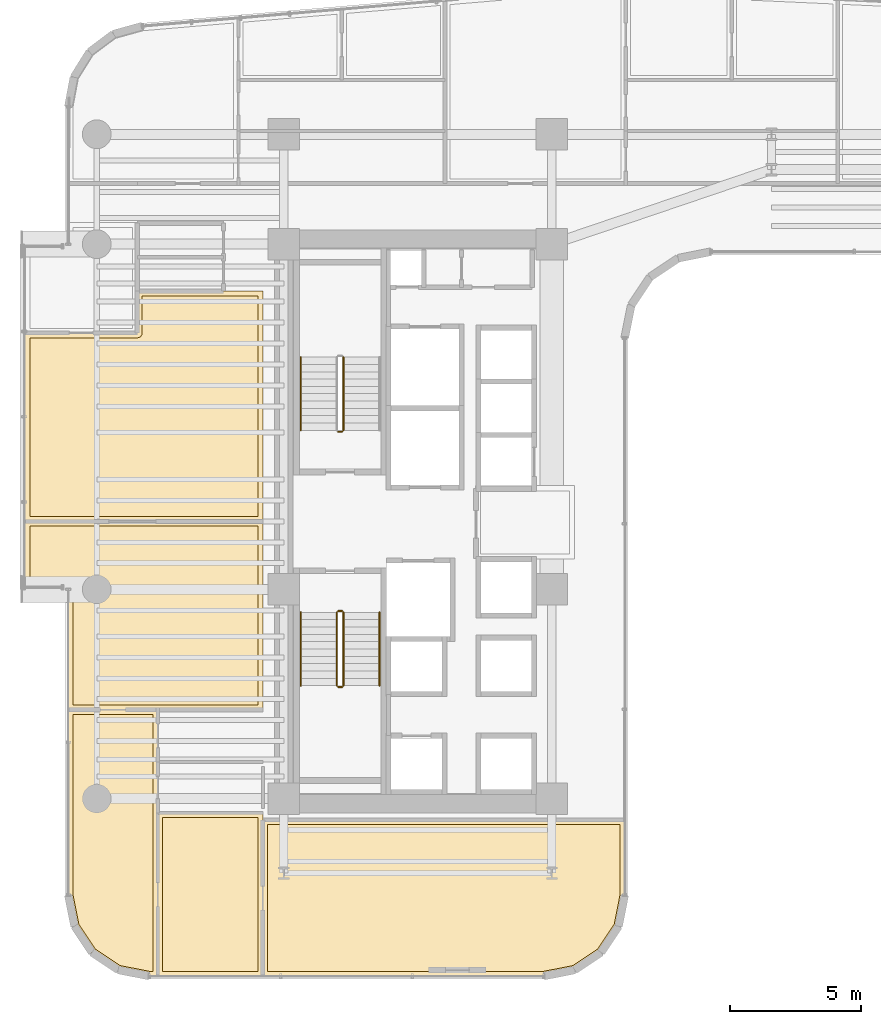
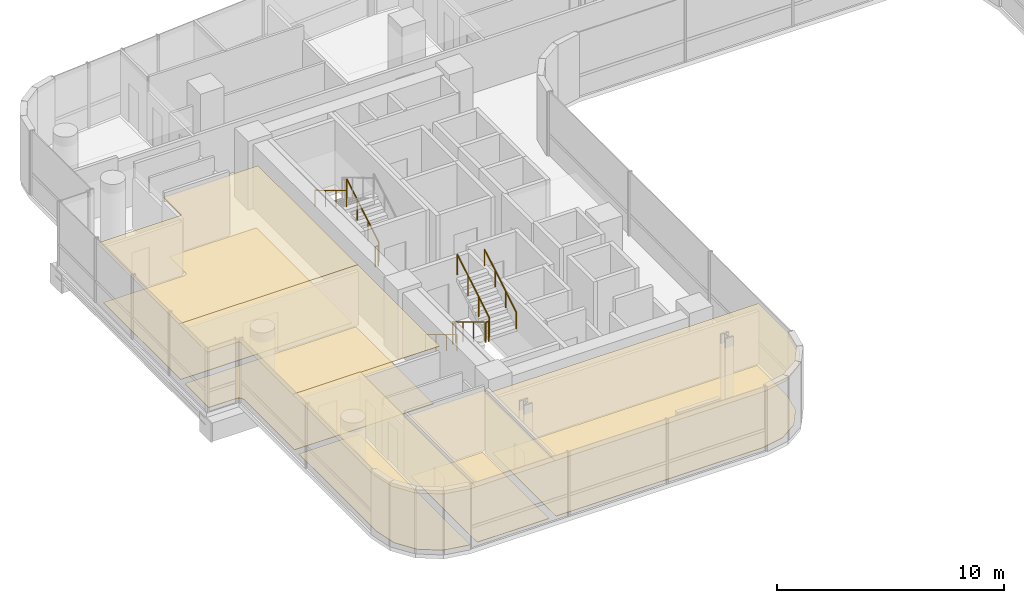
# One storey, part 31 of 35: 10 coverings, 9 railings.
"""IFC4 building model written with IfcOpenShell, lengths in metres."""

from ifc_helpers import new_model, si_unit, direction, frame, origin, origin_2d, place, context, subcontext, project, spatial, polyline, circle, outline, extrude, material, layer, layer_set, type_object, element, save


model = new_model("IFC4")

# Units and contexts
model_context = context("Model", 3, precision=1e-05, world=origin(), true_north=direction((0.0, 1.0)))
body_context = subcontext(model_context, "Body", "Model", "MODEL_VIEW")
ifc_project = project(units=[si_unit("LENGTHUNIT", "METRE"), si_unit("AREAUNIT", "SQUARE_METRE"), si_unit("VOLUMEUNIT", "CUBIC_METRE"), si_unit("PLANEANGLEUNIT", "RADIAN"), si_unit("MASSUNIT", "GRAM", prefix="KILO")], contexts=[model_context])

# Site, building, storey
site_placement = place(None, origin())
site = spatial("IfcSite", under=ifc_project, at=site_placement, CompositionType="ELEMENT")
building_placement = place(site_placement, origin())
building = spatial("IfcBuilding", under=site, at=building_placement, Name="Valdorenza Pilgrim Sanctuary Tower", CompositionType="ELEMENT")
storey_placement = place(building_placement, frame((0.0, 0.0, 105.699951171875)))
storey = spatial("IfcBuildingStorey", under=building, at=storey_placement, Name="L26", CompositionType="ELEMENT", Elevation=105.699951171875)

# Coverings
ifc_material_1 = material(Name="Micro-perforated acoustic mineral ceiling tile", Category="gypsum")
ifc_layer_1 = layer(ifc_material_1, 0.02490234375, Name="Micro-perforated acoustic mineral ceiling tile")
ifc_layer_set_1 = layer_set([ifc_layer_1], Name="Micro-perforated acoustic mineral ceiling tile")
covering_type_1 = type_object("IfcCoveringType", Name="COV-CLG-ACU", PredefinedType="CEILING", material=ifc_layer_set_1)
covering_1_placement = place(storey_placement, frame((0.0, 0.0, 3.16015625)))
element("IfcCovering", 1, at=covering_1_placement, inside=storey, type_object=covering_type_1, Name="L26 Sanctuary Apartment L26-CS1 Bedroom Acoustic Ceiling", PredefinedType="CEILING", context=body_context, shape_type="SweptSolid", body=[
    extrude(outline(polyline([(-27.482666015625, -11.14990234375), (-27.482421875, -11.1484375), (-27.482421875, -11.147216796875), (-27.48193359375, -11.1455078125), (-27.4814453125, -11.144287109375), (-27.480712890625, -11.142822265625), (-27.47998046875, -11.1416015625), (-27.479248046875, -11.140380859375), (-27.478271484375, -11.139404296875), (-27.47705078125, -11.138427734375), (-27.475830078125, -11.137451171875), (-27.474609375, -11.13671875), (-27.473388671875, -11.135986328125), (-27.471923828125, -11.135498046875), (-27.470458984375, -11.13525390625), (-27.468994140625, -11.135009765625), (-27.467529296875, -11.135009765625), (-23.449951171875, -11.135009765625), (-23.448486328125, -11.135009765625), (-23.447021484375, -11.13525390625), (-23.445556640625, -11.135498046875), (-23.4443359375, -11.135986328125), (-23.44287109375, -11.13671875), (-23.441650390625, -11.137451171875), (-23.4404296875, -11.138427734375), (-23.439453125, -11.139404296875), (-23.4384765625, -11.140380859375), (-23.4375, -11.1416015625), (-23.436767578125, -11.142822265625), (-23.43603515625, -11.144287109375), (-23.435546875, -11.1455078125), (-23.435302734375, -11.147216796875), (-23.43505859375, -11.1484375), (-23.43505859375, -11.14990234375), (-23.43505859375, -17.389892578125), (-23.43505859375, -17.3916015625), (-23.435302734375, -17.392822265625), (-23.435546875, -17.394287109375), (-23.43603515625, -17.395751953125), (-23.436767578125, -17.397216796875), (-23.4375, -17.398193359375), (-23.4384765625, -17.3994140625), (-23.439453125, -17.400634765625), (-23.4404296875, -17.401611328125), (-23.441650390625, -17.402587890625), (-23.44287109375, -17.4033203125), (-23.4443359375, -17.40380859375), (-23.445556640625, -17.404296875), (-23.447021484375, -17.40478515625), (-23.448486328125, -17.40478515625), (-23.449951171875, -17.405029296875), (-27.467529296875, -17.405029296875), (-27.468994140625, -17.40478515625), (-27.470458984375, -17.40478515625), (-27.471923828125, -17.404296875), (-27.473388671875, -17.40380859375), (-27.474609375, -17.4033203125), (-27.475830078125, -17.402587890625), (-27.47705078125, -17.401611328125), (-27.478271484375, -17.400634765625), (-27.479248046875, -17.3994140625), (-27.47998046875, -17.398193359375), (-27.480712890625, -17.397216796875), (-27.4814453125, -17.395751953125), (-27.48193359375, -17.394287109375), (-27.482421875, -17.392822265625), (-27.482421875, -17.3916015625), (-27.482666015625, -17.389892578125), (-27.482666015625, -11.14990234375)])), origin(), (0.0, 0.0, 1.0), 0.02490234375),
])
covering_2_placement = place(storey_placement, frame((0.0, 0.0, 3.16015625)))
element("IfcCovering", 2, at=covering_2_placement, inside=storey, type_object=covering_type_1, Name="L26 Sanctuary Apartment L26-CS1 Living Room Acoustic Ceiling", PredefinedType="CEILING", context=body_context, shape_type="SweptSolid", body=[
    extrude(outline(polyline([(-28.984619140625, -17.16748046875), (-28.986083984375, -17.1669921875), (-28.9873046875, -17.16650390625), (-28.98876953125, -17.166015625), (-28.989990234375, -17.165283203125), (-29.99169921875, -16.495849609375), (-29.992919921875, -16.4951171875), (-29.993896484375, -16.493896484375), (-29.9951171875, -16.492919921875), (-29.995849609375, -16.49169921875), (-30.665283203125, -15.489990234375), (-30.666015625, -15.48876953125), (-30.66650390625, -15.4873046875), (-30.6669921875, -15.486083984375), (-30.66748046875, -15.484619140625), (-30.90478515625, -14.2919921875), (-30.90478515625, -14.29052734375), (-30.905029296875, -14.289306640625), (-30.905029296875, -7.199951171875), (-30.90478515625, -7.198486328125), (-30.90478515625, -7.197021484375), (-30.904296875, -7.195556640625), (-30.90380859375, -7.1943359375), (-30.9033203125, -7.19287109375), (-30.902587890625, -7.191650390625), (-30.901611328125, -7.1904296875), (-30.900634765625, -7.189453125), (-30.8994140625, -7.1884765625), (-30.898193359375, -7.1875), (-30.897216796875, -7.186767578125), (-30.895751953125, -7.18603515625), (-30.894287109375, -7.185546875), (-30.892822265625, -7.185302734375), (-30.8916015625, -7.18505859375), (-30.889892578125, -7.18505859375), (-27.467529296875, -7.18505859375), (-27.466064453125, -7.18505859375), (-27.464599609375, -7.185302734375), (-27.463134765625, -7.185546875), (-27.4619140625, -7.18603515625), (-27.46044921875, -7.186767578125), (-27.459228515625, -7.1875), (-27.4580078125, -7.1884765625), (-27.45703125, -7.189453125), (-27.4560546875, -7.1904296875), (-27.455078125, -7.191650390625), (-27.454345703125, -7.19287109375), (-27.45361328125, -7.1943359375), (-27.453125, -7.195556640625), (-27.452880859375, -7.197021484375), (-27.45263671875, -7.198486328125), (-27.45263671875, -7.199951171875), (-27.45263671875, -11.14794921875), (-27.45263671875, -11.1494140625), (-27.452880859375, -11.15087890625), (-27.453369140625, -11.152587890625), (-27.453857421875, -11.15380859375), (-27.45458984375, -11.1552734375), (-27.45458984375, -11.155517578125), (-27.45458984375, -17.389892578125), (-27.45458984375, -17.3916015625), (-27.454833984375, -17.392822265625), (-27.455078125, -17.394287109375), (-27.455810546875, -17.395751953125), (-27.456298828125, -17.397216796875), (-27.45703125, -17.398193359375), (-27.4580078125, -17.3994140625), (-27.458984375, -17.400634765625), (-27.460205078125, -17.401611328125), (-27.461181640625, -17.402587890625), (-27.46240234375, -17.4033203125), (-27.4638671875, -17.40380859375), (-27.465087890625, -17.404296875), (-27.466796875, -17.40478515625), (-27.468017578125, -17.40478515625), (-27.469482421875, -17.405029296875), (-27.789306640625, -17.405029296875), (-27.79052734375, -17.40478515625), (-27.7919921875, -17.40478515625), (-28.984619140625, -17.16748046875)])), origin(), (0.0, 0.0, 1.0), 0.02490234375),
])
covering_3_placement = place(storey_placement, frame((0.0, 0.0, 3.16015625)))
element("IfcCovering", 3, at=covering_3_placement, inside=storey, type_object=covering_type_1, Name="L26 South Contemplation Salon L26 Acoustic Ceiling", PredefinedType="CEILING", context=body_context, shape_type="SweptSolid", body=[
    extrude(outline(polyline([(-27.469482421875, -7.212890625), (-30.889892578125, -7.212890625), (-30.8916015625, -7.212890625), (-30.892822265625, -7.212646484375), (-30.894287109375, -7.21240234375), (-30.895751953125, -7.2119140625), (-30.897216796875, -7.211181640625), (-30.898193359375, -7.21044921875), (-30.8994140625, -7.209716796875), (-30.900634765625, -7.20849609375), (-30.901611328125, -7.20751953125), (-30.902587890625, -7.206298828125), (-30.9033203125, -7.205078125), (-30.90380859375, -7.20361328125), (-30.904296875, -7.202392578125), (-30.90478515625, -7.200927734375), (-30.90478515625, -7.199462890625), (-30.905029296875, -7.197998046875), (-30.905029296875, -2.600341796875), (-30.905517578125, -2.5908203125), (-30.90673828125, -2.58154296875), (-30.9091796875, -2.572509765625), (-30.912109375, -2.563720703125), (-30.916259765625, -2.55517578125), (-30.9208984375, -2.547119140625), (-30.926513671875, -2.539794921875), (-30.932861328125, -2.53271484375), (-30.939697265625, -2.526611328125), (-30.947265625, -2.52099609375), (-30.955078125, -2.51611328125), (-30.963623046875, -2.51220703125), (-30.972412109375, -2.509033203125), (-30.9814453125, -2.5068359375), (-30.99072265625, -2.505615234375), (-31.00048828125, -2.5048828125), (-32.5400390625, -2.5048828125), (-32.54150390625, -2.5048828125), (-32.54296875, -2.504638671875), (-32.54443359375, -2.50439453125), (-32.545654296875, -2.50390625), (-32.547119140625, -2.503173828125), (-32.54833984375, -2.50244140625), (-32.549560546875, -2.501708984375), (-32.550537109375, -2.50048828125), (-32.551513671875, -2.49951171875), (-32.552490234375, -2.498291015625), (-32.55322265625, -2.4970703125), (-32.553955078125, -2.49560546875), (-32.554443359375, -2.494384765625), (-32.5546875, -2.492919921875), (-32.554931640625, -2.491455078125), (-32.554931640625, -2.489990234375), (-32.554931640625, 0.0), (-32.554931640625, 0.00146484375), (-32.5546875, 0.0029296875), (-32.554443359375, 0.00439453125), (-32.553955078125, 0.005615234375), (-32.55322265625, 0.007080078125), (-32.552490234375, 0.00830078125), (-32.551513671875, 0.009521484375), (-32.550537109375, 0.010498046875), (-32.549560546875, 0.01171875), (-32.54833984375, 0.012451171875), (-32.547119140625, 0.01318359375), (-32.545654296875, 0.013916015625), (-32.54443359375, 0.014404296875), (-32.54296875, 0.0146484375), (-32.54150390625, 0.014892578125), (-32.5400390625, 0.014892578125), (-23.449951171875, 0.014892578125), (-23.448486328125, 0.014892578125), (-23.447021484375, 0.0146484375), (-23.445556640625, 0.014404296875), (-23.4443359375, 0.013916015625), (-23.44287109375, 0.01318359375), (-23.441650390625, 0.012451171875), (-23.4404296875, 0.01171875), (-23.439453125, 0.010498046875), (-23.4384765625, 0.009521484375), (-23.4375, 0.00830078125), (-23.436767578125, 0.007080078125), (-23.43603515625, 0.005615234375), (-23.435546875, 0.00439453125), (-23.435302734375, 0.0029296875), (-23.43505859375, 0.00146484375), (-23.43505859375, 0.0), (-23.43505859375, -7.197998046875), (-23.43505859375, -7.199462890625), (-23.435302734375, -7.200927734375), (-23.435546875, -7.202392578125), (-23.43603515625, -7.20361328125), (-23.436767578125, -7.205078125), (-23.4375, -7.206298828125), (-23.4384765625, -7.20751953125), (-23.439453125, -7.20849609375), (-23.4404296875, -7.209716796875), (-23.441650390625, -7.21044921875), (-23.44287109375, -7.211181640625), (-23.4443359375, -7.2119140625), (-23.445556640625, -7.21240234375), (-23.447021484375, -7.212646484375), (-23.448486328125, -7.212890625), (-23.449951171875, -7.212890625), (-27.4638671875, -7.212890625), (-27.464599609375, -7.213134765625), (-27.466064453125, -7.21337890625), (-27.467529296875, -7.213134765625), (-27.468994140625, -7.213134765625), (-27.469482421875, -7.212890625)])), origin(), (0.0, 0.0, 1.0), 0.02490234375),
])
covering_4_placement = place(storey_placement, frame((0.0, 0.0, 3.16015625)))
element("IfcCovering", 4, at=covering_4_placement, inside=storey, type_object=covering_type_1, Name="L26 North Contemplation Salon L26 Acoustic Ceiling", PredefinedType="CEILING", context=body_context, shape_type="SweptSolid", body=[
    extrude(outline(polyline([(-28.262939453125, 7.212890625), (-28.262939453125, 8.798095703125), (-28.262939453125, 8.799560546875), (-28.2626953125, 8.80078125), (-28.262451171875, 8.802490234375), (-28.261962890625, 8.8037109375), (-28.26123046875, 8.80517578125), (-28.260498046875, 8.806396484375), (-28.259521484375, 8.8076171875), (-28.258544921875, 8.80859375), (-28.257568359375, 8.8095703125), (-28.25634765625, 8.810546875), (-28.255126953125, 8.811279296875), (-28.253662109375, 8.81201171875), (-28.25244140625, 8.8125), (-28.2509765625, 8.812744140625), (-28.24951171875, 8.81298828125), (-28.248046875, 8.81298828125), (-24.955322265625, 8.81298828125), (-24.954833984375, 8.813232421875), (-24.95361328125, 8.81396484375), (-24.9521484375, 8.814453125), (-24.95068359375, 8.814697265625), (-24.949462890625, 8.81494140625), (-24.947998046875, 8.81494140625), (-23.449951171875, 8.81494140625), (-23.448486328125, 8.81494140625), (-23.447021484375, 8.814697265625), (-23.445556640625, 8.814453125), (-23.4443359375, 8.81396484375), (-23.44287109375, 8.813232421875), (-23.441650390625, 8.8125), (-23.4404296875, 8.8115234375), (-23.439453125, 8.810546875), (-23.4384765625, 8.8095703125), (-23.4375, 8.808349609375), (-23.436767578125, 8.80712890625), (-23.43603515625, 8.8056640625), (-23.435546875, 8.804443359375), (-23.435302734375, 8.802978515625), (-23.43505859375, 8.801513671875), (-23.43505859375, 8.800048828125), (-23.43505859375, 0.001953125), (-23.43505859375, 0.00048828125), (-23.435302734375, -0.0009765625), (-23.435546875, -0.00244140625), (-23.43603515625, -0.003662109375), (-23.436767578125, -0.005126953125), (-23.4375, -0.00634765625), (-23.4384765625, -0.007568359375), (-23.439453125, -0.008544921875), (-23.4404296875, -0.009521484375), (-23.441650390625, -0.010498046875), (-23.44287109375, -0.01123046875), (-23.4443359375, -0.011962890625), (-23.445556640625, -0.012451171875), (-23.447021484375, -0.0126953125), (-23.448486328125, -0.012939453125), (-23.449951171875, -0.012939453125), (-32.5400390625, -0.012939453125), (-32.54150390625, -0.012939453125), (-32.54296875, -0.0126953125), (-32.54443359375, -0.012451171875), (-32.545654296875, -0.011962890625), (-32.547119140625, -0.01123046875), (-32.54833984375, -0.010498046875), (-32.549560546875, -0.009521484375), (-32.550537109375, -0.008544921875), (-32.551513671875, -0.007568359375), (-32.552490234375, -0.00634765625), (-32.55322265625, -0.005126953125), (-32.553955078125, -0.003662109375), (-32.554443359375, -0.00244140625), (-32.5546875, -0.0009765625), (-32.554931640625, 0.00048828125), (-32.554931640625, 0.001953125), (-32.554931640625, 7.197998046875), (-32.554931640625, 7.199462890625), (-32.5546875, 7.200927734375), (-32.554443359375, 7.202392578125), (-32.553955078125, 7.20361328125), (-32.55322265625, 7.205078125), (-32.552490234375, 7.206298828125), (-32.551513671875, 7.20751953125), (-32.550537109375, 7.20849609375), (-32.549560546875, 7.209716796875), (-32.54833984375, 7.21044921875), (-32.547119140625, 7.211181640625), (-32.545654296875, 7.2119140625), (-32.54443359375, 7.21240234375), (-32.54296875, 7.212646484375), (-32.54150390625, 7.212890625), (-32.5400390625, 7.212890625), (-28.262939453125, 7.212890625)])), origin(), (0.0, 0.0, 1.0), 0.02490234375),
])
covering_5_placement = place(storey_placement, frame((0.0, 0.0, 3.16015625)))
element("IfcCovering", 5, at=covering_5_placement, inside=storey, type_object=covering_type_1, Name="L26 Sacred Archive Reading Library L26-S Acoustic Ceiling", PredefinedType="CEILING", context=body_context, shape_type="SweptSolid", body=[
    extrude(outline(polyline([(-9.610107421875, -11.405029296875), (-9.6083984375, -11.405029296875), (-9.607177734375, -11.4052734375), (-9.605712890625, -11.405517578125), (-9.604248046875, -11.406005859375), (-9.602783203125, -11.40673828125), (-9.601806640625, -11.407470703125), (-9.6005859375, -11.408447265625), (-9.599365234375, -11.409423828125), (-9.598388671875, -11.410400390625), (-9.597412109375, -11.41162109375), (-9.5966796875, -11.412841796875), (-9.59619140625, -11.414306640625), (-9.595703125, -11.41552734375), (-9.59521484375, -11.4169921875), (-9.59521484375, -11.41845703125), (-9.594970703125, -11.419921875), (-9.594970703125, -14.289306640625), (-9.59521484375, -14.29052734375), (-9.59521484375, -14.2919921875), (-9.83251953125, -15.484619140625), (-9.8330078125, -15.486083984375), (-9.83349609375, -15.4873046875), (-9.833984375, -15.48876953125), (-9.834716796875, -15.489990234375), (-10.504150390625, -16.49169921875), (-10.5048828125, -16.492919921875), (-10.506103515625, -16.493896484375), (-10.507080078125, -16.4951171875), (-10.50830078125, -16.495849609375), (-11.510009765625, -17.165283203125), (-11.51123046875, -17.166015625), (-11.5126953125, -17.16650390625), (-11.513916015625, -17.1669921875), (-11.515380859375, -17.16748046875), (-12.7080078125, -17.40478515625), (-12.70947265625, -17.40478515625), (-12.710693359375, -17.405029296875), (-23.447998046875, -17.405029296875), (-23.449462890625, -17.40478515625), (-23.450927734375, -17.40478515625), (-23.452392578125, -17.404296875), (-23.45361328125, -17.40380859375), (-23.455078125, -17.4033203125), (-23.456298828125, -17.402587890625), (-23.45751953125, -17.401611328125), (-23.45849609375, -17.400634765625), (-23.459716796875, -17.3994140625), (-23.46044921875, -17.398193359375), (-23.461181640625, -17.397216796875), (-23.4619140625, -17.395751953125), (-23.46240234375, -17.394287109375), (-23.462646484375, -17.392822265625), (-23.462890625, -17.3916015625), (-23.462890625, -17.389892578125), (-23.462890625, -11.419921875), (-23.462890625, -11.41845703125), (-23.462646484375, -11.4169921875), (-23.46240234375, -11.41552734375), (-23.4619140625, -11.414306640625), (-23.461181640625, -11.412841796875), (-23.46044921875, -11.41162109375), (-23.459716796875, -11.410400390625), (-23.45849609375, -11.409423828125), (-23.45751953125, -11.408447265625), (-23.456298828125, -11.407470703125), (-23.455078125, -11.40673828125), (-23.45361328125, -11.406005859375), (-23.452392578125, -11.405517578125), (-23.450927734375, -11.4052734375), (-23.449462890625, -11.405029296875), (-23.447998046875, -11.405029296875), (-9.610107421875, -11.405029296875)])), origin(), (0.0, 0.0, 1.0), 0.02490234375),
])
ifc_material_2 = material(Name="Engineered European oak timber flooring", Category="wood")
ifc_layer_2 = layer(ifc_material_2, 0.02197265625, Name="Engineered European oak timber flooring")
ifc_layer_set_2 = layer_set([ifc_layer_2], Name="Engineered European oak timber flooring")
covering_type_2 = type_object("IfcCoveringType", Name="COV-FLR-OAK", PredefinedType="FLOORING", material=ifc_layer_set_2)
covering_6_placement = place(storey_placement, origin())
element("IfcCovering", 6, at=covering_6_placement, inside=storey, type_object=covering_type_2, Name="L26 Sanctuary Apartment L26-CS1 Bedroom Flooring", PredefinedType="FLOORING", context=body_context, shape_type="SweptSolid", body=[
    extrude(outline(polyline([(-27.28759765625, -11.330078125), (-23.6298828125, -11.330078125), (-23.6298828125, -17.2099609375), (-27.28759765625, -17.2099609375), (-27.28759765625, -11.330078125)])), origin(), (0.0, 0.0, 1.0), 0.025146484375),
])
covering_7_placement = place(storey_placement, origin())
element("IfcCovering", 7, at=covering_7_placement, inside=storey, type_object=covering_type_2, Name="L26 Sanctuary Apartment L26-CS1 Living Room Flooring", PredefinedType="FLOORING", context=body_context, shape_type="SweptSolid", body=[
    extrude(outline(polyline([(-28.911376953125, -16.983154296875), (-29.853515625, -16.353515625), (-30.483154296875, -15.411376953125), (-30.7099609375, -14.271484375), (-30.7099609375, -7.3798828125), (-27.647705078125, -7.3798828125), (-27.647705078125, -11.123046875), (-27.647705078125, -11.123291015625), (-27.647705078125, -11.123291015625), (-27.6494140625, -11.14111328125), (-27.6494140625, -11.14111328125), (-27.649658203125, -11.14990234375), (-27.649658203125, -17.2099609375), (-27.771484375, -17.2099609375), (-28.911376953125, -16.983154296875)])), origin(), (0.0, 0.0, 1.0), 0.025146484375),
])
ifc_material_3 = material(Name="Honed travertine stone flooring", Category="masonry")
ifc_layer_3 = layer(ifc_material_3, 0.030029296875, Name="Honed travertine stone flooring")
ifc_layer_set_3 = layer_set([ifc_layer_3], Name="Honed travertine stone flooring")
covering_type_3 = type_object("IfcCoveringType", Name="COV-FLR-TRV", PredefinedType="FLOORING", material=ifc_layer_set_3)
covering_8_placement = place(storey_placement, origin())
element("IfcCovering", 8, at=covering_8_placement, inside=storey, type_object=covering_type_3, Name="L26 South Contemplation Salon L26 Flooring", PredefinedType="FLOORING", context=body_context, shape_type="SweptSolid", body=[
    extrude(outline(polyline([(-27.46728515625, -7.01806640625), (-27.467529296875, -7.01806640625), (-30.7099609375, -7.01806640625), (-30.7099609375, -2.60009765625), (-30.710205078125, -2.59130859375), (-30.710693359375, -2.580322265625), (-30.71240234375, -2.562744140625), (-30.714111328125, -2.552001953125), (-30.717529296875, -2.534912109375), (-30.72021484375, -2.5244140625), (-30.725341796875, -2.50732421875), (-30.72900390625, -2.497314453125), (-30.735595703125, -2.48095703125), (-30.740234375, -2.47119140625), (-30.74853515625, -2.45556640625), (-30.754150390625, -2.4462890625), (-30.763916015625, -2.431640625), (-30.7705078125, -2.423095703125), (-30.781494140625, -2.4091796875), (-30.788818359375, -2.4013671875), (-30.80126953125, -2.388916015625), (-30.809326171875, -2.381591796875), (-30.822998046875, -2.370361328125), (-30.831787109375, -2.364013671875), (-30.84619140625, -2.35400390625), (-30.855712890625, -2.3486328125), (-30.87109375, -2.34033203125), (-30.880859375, -2.335693359375), (-30.897216796875, -2.328857421875), (-30.907470703125, -2.3251953125), (-30.92431640625, -2.320068359375), (-30.934814453125, -2.3173828125), (-30.9521484375, -2.314208984375), (-30.962890625, -2.3125), (-30.98046875, -2.310791015625), (-30.9912109375, -2.310302734375), (-31.0, -2.31005859375), (-32.360107421875, -2.31005859375), (-32.360107421875, -0.179931640625), (-23.6298828125, -0.179931640625), (-23.6298828125, -7.01806640625), (-27.465576171875, -7.01806640625), (-27.466552734375, -7.01806640625), (-27.46728515625, -7.01806640625)])), origin(), (0.0, 0.0, 1.0), 0.025146484375),
])
covering_9_placement = place(storey_placement, origin())
element("IfcCovering", 9, at=covering_9_placement, inside=storey, type_object=covering_type_3, Name="L26 North Contemplation Salon L26 Flooring", PredefinedType="FLOORING", context=body_context, shape_type="SweptSolid", body=[
    extrude(outline(polyline([(-23.6298828125, 8.619873046875), (-23.6298828125, 0.181884765625), (-32.360107421875, 0.181884765625), (-32.360107421875, 7.01806640625), (-28.25, 7.01806640625), (-28.2412109375, 7.018310546875), (-28.240966796875, 7.018310546875), (-28.223388671875, 7.02001953125), (-28.22314453125, 7.02001953125), (-28.205810546875, 7.0234375), (-28.205810546875, 7.0234375), (-28.188720703125, 7.028564453125), (-28.188720703125, 7.02880859375), (-28.17236328125, 7.035400390625), (-28.172119140625, 7.035400390625), (-28.156494140625, 7.043701171875), (-28.156494140625, 7.0439453125), (-28.1416015625, 7.0537109375), (-28.1416015625, 7.053955078125), (-28.1279296875, 7.065185546875), (-28.127685546875, 7.065185546875), (-28.115234375, 7.07763671875), (-28.114990234375, 7.077880859375), (-28.10400390625, 7.091552734375), (-28.103759765625, 7.091796875), (-28.093994140625, 7.1064453125), (-28.09375, 7.1064453125), (-28.08544921875, 7.1220703125), (-28.08544921875, 7.122314453125), (-28.07861328125, 7.138671875), (-28.07861328125, 7.138916015625), (-28.073486328125, 7.15576171875), (-28.073486328125, 7.156005859375), (-28.070068359375, 7.173095703125), (-28.070068359375, 7.17333984375), (-28.068115234375, 7.19091796875), (-28.068115234375, 7.191162109375), (-28.068115234375, 7.199951171875), (-28.068115234375, 8.617919921875), (-24.949951171875, 8.617919921875), (-24.94970703125, 8.617919921875), (-23.6298828125, 8.619873046875)])), origin(), (0.0, 0.0, 1.0), 0.025146484375),
])
covering_10_placement = place(storey_placement, origin())
element("IfcCovering", 10, at=covering_10_placement, inside=storey, type_object=covering_type_3, Name="L26 Sacred Archive Reading Library L26-S Flooring", PredefinedType="FLOORING", context=body_context, shape_type="SweptSolid", body=[
    extrude(outline(polyline([(-9.7900390625, -11.60009765625), (-9.7900390625, -14.271484375), (-10.016845703125, -15.411376953125), (-10.646484375, -16.353515625), (-11.588623046875, -16.983154296875), (-12.728515625, -17.2099609375), (-23.26806640625, -17.2099609375), (-23.26806640625, -11.60009765625), (-9.7900390625, -11.60009765625)])), origin(), (0.0, 0.0, 1.0), 0.025146484375),
])

# Railings
ifc_material_4 = material(Name="Stainless steel Grade 316", Category="steel")
railing_type_1 = type_object("IfcRailingType", Name="RLG-GRD-1120", PredefinedType="GUARDRAIL", material=ifc_material_4)
railing_1_placement = place(storey_placement, frame((-20.3701171875, 3.47998046875, 0.168212890625)))
element("IfcRailing", 11, at=railing_1_placement, inside=storey, type_object=railing_type_1, Name="L26 ST-A1 stair guard 1", PredefinedType="GUARDRAIL", context=body_context, shape_type="SweptSolid", body=[
    extrude(circle(Radius=0.02392578125, at=origin_2d()), frame((0.0, 0.0, 1.076171875), z_axis=(0.0, 0.857242210791, 0.514913383045), x_axis=(-1.0, 0.0, 0.0)), (0.0, 0.0, 1.0), 3.266357421875),
    extrude(circle(Radius=0.02099609375, at=origin_2d()), origin(), (0.0, 0.0, 1.0), 1.052001953125),
    extrude(circle(Radius=0.02099609375, at=origin_2d()), frame((0.0, 0.933349609375, 0.560546875)), (0.0, 0.0, 1.0), 1.052001953125),
    extrude(circle(Radius=0.02099609375, at=origin_2d()), frame((0.0, 1.86669921875, 1.121337890625)), (0.0, 0.0, 1.0), 1.052001953125),
    extrude(circle(Radius=0.02099609375, at=origin_2d()), frame((0.0, 2.800048828125, 1.681884765625)), (0.0, 0.0, 1.0), 1.052001953125),
])
railing_2_placement = place(storey_placement, frame((-20.419921875, 3.429931640625, 0.0)))
element("IfcRailing", 12, at=railing_2_placement, inside=storey, type_object=railing_type_1, Name="L26 ST-A1 stair guard 4", PredefinedType="GUARDRAIL", context=body_context, shape_type="SweptSolid", body=[
    extrude(circle(Radius=0.02392578125, at=origin_2d()), frame((0.0, 0.0, 1.076171875), z_axis=(-1.0, 0.0, 0.0), x_axis=(0.0, -1.0, 0.0)), (0.0, 0.0, 1.0), 0.150146484375),
    extrude(circle(Radius=0.02099609375, at=origin_2d()), origin(), (0.0, 0.0, 1.0), 1.052001953125),
    extrude(circle(Radius=0.02099609375, at=origin_2d()), frame((-0.150146484375, 0.0, 0.0)), (0.0, 0.0, 1.0), 1.052001953125),
])
railing_3_placement = place(storey_placement, frame((-20.6201171875, -3.47998046875, 0.168212890625)))
element("IfcRailing", 13, at=railing_3_placement, inside=storey, type_object=railing_type_1, Name="L26 ST-A2 stair guard 1", PredefinedType="GUARDRAIL", context=body_context, shape_type="SweptSolid", body=[
    extrude(circle(Radius=0.02392578125, at=origin_2d()), frame((0.0, 0.0, 1.076171875), z_axis=(0.0, -0.857242210791, 0.514913383045), x_axis=(1.0, 0.0, 0.0)), (0.0, 0.0, 1.0), 3.266357421875),
    extrude(circle(Radius=0.02099609375, at=origin_2d()), origin(), (0.0, 0.0, 1.0), 1.052001953125),
    extrude(circle(Radius=0.02099609375, at=origin_2d()), frame((0.0, -0.933349609375, 0.560546875)), (0.0, 0.0, 1.0), 1.052001953125),
    extrude(circle(Radius=0.02099609375, at=origin_2d()), frame((0.0, -1.86669921875, 1.121337890625)), (0.0, 0.0, 1.0), 1.052001953125),
    extrude(circle(Radius=0.02099609375, at=origin_2d()), frame((0.0, -2.800048828125, 1.681884765625)), (0.0, 0.0, 1.0), 1.052001953125),
])
railing_4_placement = place(storey_placement, frame((-20.570068359375, -6.330078125, 1.85009765625)))
element("IfcRailing", 14, at=railing_4_placement, inside=storey, type_object=railing_type_1, Name="L26 ST-A2 stair guard 2", PredefinedType="GUARDRAIL", context=body_context, shape_type="SweptSolid", body=[
    extrude(circle(Radius=0.02392578125, at=origin_2d()), frame((0.0, 0.0, 1.076171875), z_axis=(1.0, 0.0, 0.0), x_axis=(0.0, 1.0, 0.0)), (0.0, 0.0, 1.0), 0.150146484375),
    extrude(circle(Radius=0.02099609375, at=origin_2d()), origin(), (0.0, 0.0, 1.0), 1.052001953125),
    extrude(circle(Radius=0.02099609375, at=origin_2d()), frame((0.150146484375, 0.0, 0.0)), (0.0, 0.0, 1.0), 1.052001953125),
])
railing_5_placement = place(storey_placement, frame((-20.3701171875, -6.280029296875, 2.018310546875)))
element("IfcRailing", 15, at=railing_5_placement, inside=storey, type_object=railing_type_1, Name="L26 ST-A2 stair guard 3", PredefinedType="GUARDRAIL", context=body_context, shape_type="SweptSolid", body=[
    extrude(circle(Radius=0.02392578125, at=origin_2d()), frame((0.0, 0.0, 1.076171875), z_axis=(0.0, 0.857275202839, 0.514858452973), x_axis=(-1.0, 0.0, 0.0)), (0.0, 0.0, 1.0), 3.26611328125),
    extrude(circle(Radius=0.02099609375, at=origin_2d()), origin(), (0.0, 0.0, 1.0), 1.052001953125),
    extrude(circle(Radius=0.02099609375, at=origin_2d()), frame((0.0, 0.933349609375, 0.560546875)), (0.0, 0.0, 1.0), 1.052001953125),
    extrude(circle(Radius=0.02099609375, at=origin_2d()), frame((0.0, 1.86669921875, 1.12109375)), (0.0, 0.0, 1.0), 1.052001953125),
    extrude(circle(Radius=0.02099609375, at=origin_2d()), frame((0.0, 2.800048828125, 1.681640625)), (0.0, 0.0, 1.0), 1.052001953125),
])
railing_6_placement = place(storey_placement, frame((-20.570068359375, -3.429931640625, 0.0)))
element("IfcRailing", 16, at=railing_6_placement, inside=storey, type_object=railing_type_1, Name="L26 ST-A2 stair guard 4", PredefinedType="GUARDRAIL", context=body_context, shape_type="SweptSolid", body=[
    extrude(circle(Radius=0.02392578125, at=origin_2d()), frame((0.0, 0.0, 1.076171875), z_axis=(1.0, 0.0, 0.0), x_axis=(0.0, 1.0, 0.0)), (0.0, 0.0, 1.0), 0.150146484375),
    extrude(circle(Radius=0.02099609375, at=origin_2d()), origin(), (0.0, 0.0, 1.0), 1.052001953125),
    extrude(circle(Radius=0.02099609375, at=origin_2d()), frame((0.150146484375, 0.0, 0.0)), (0.0, 0.0, 1.0), 1.052001953125),
])
ifc_material_5 = material(Name="Brushed stainless steel Grade 316", Category="steel")
railing_type_2 = type_object("IfcRailingType", Name="RLG-HND-920", PredefinedType="HANDRAIL", material=ifc_material_5)
railing_7_placement = place(storey_placement, frame((-22.0, 6.280029296875, 2.018310546875)))
element("IfcRailing", 17, at=railing_7_placement, inside=storey, type_object=railing_type_2, Name="L26 ST-A1 stair handrail 2", PredefinedType="HANDRAIL", context=body_context, shape_type="SweptSolid", body=[
    extrude(circle(Radius=0.02392578125, at=origin_2d()), frame((0.0, 0.0, 0.8759765625), z_axis=(0.0, -0.857275202839, 0.514858452973), x_axis=(1.0, 0.0, 0.0)), (0.0, 0.0, 1.0), 3.26611328125),
    extrude(circle(Radius=0.02099609375, at=origin_2d()), origin(), (0.0, 0.0, 1.0), 0.851806640625),
    extrude(circle(Radius=0.02099609375, at=origin_2d()), frame((0.0, -0.933349609375, 0.560546875)), (0.0, 0.0, 1.0), 0.851806640625),
    extrude(circle(Radius=0.02099609375, at=origin_2d()), frame((0.0, -1.86669921875, 1.12109375)), (0.0, 0.0, 1.0), 0.851806640625),
    extrude(circle(Radius=0.02099609375, at=origin_2d()), frame((0.0, -2.800048828125, 1.681640625)), (0.0, 0.0, 1.0), 0.851806640625),
])
railing_8_placement = place(storey_placement, frame((-22.0, -3.47998046875, 0.168212890625)))
element("IfcRailing", 18, at=railing_8_placement, inside=storey, type_object=railing_type_2, Name="L26 ST-A2 stair handrail 1", PredefinedType="HANDRAIL", context=body_context, shape_type="SweptSolid", body=[
    extrude(circle(Radius=0.02392578125, at=origin_2d()), frame((0.0, 0.0, 0.8759765625), z_axis=(0.0, -0.857242210791, 0.514913383045), x_axis=(1.0, 0.0, 0.0)), (0.0, 0.0, 1.0), 3.266357421875),
    extrude(circle(Radius=0.02099609375, at=origin_2d()), origin(), (0.0, 0.0, 1.0), 0.851806640625),
    extrude(circle(Radius=0.02099609375, at=origin_2d()), frame((0.0, -0.933349609375, 0.560546875)), (0.0, 0.0, 1.0), 0.851806640625),
    extrude(circle(Radius=0.02099609375, at=origin_2d()), frame((0.0, -1.86669921875, 1.121337890625)), (0.0, 0.0, 1.0), 0.851806640625),
    extrude(circle(Radius=0.02099609375, at=origin_2d()), frame((0.0, -2.800048828125, 1.681884765625)), (0.0, 0.0, 1.0), 0.851806640625),
])
railing_9_placement = place(storey_placement, frame((-18.989990234375, -6.280029296875, 2.018310546875)))
element("IfcRailing", 19, at=railing_9_placement, inside=storey, type_object=railing_type_2, Name="L26 ST-A2 stair handrail 2", PredefinedType="HANDRAIL", context=body_context, shape_type="SweptSolid", body=[
    extrude(circle(Radius=0.02392578125, at=origin_2d()), frame((0.0, 0.0, 0.8759765625), z_axis=(0.0, 0.857275202839, 0.514858452973), x_axis=(-1.0, 0.0, 0.0)), (0.0, 0.0, 1.0), 3.26611328125),
    extrude(circle(Radius=0.02099609375, at=origin_2d()), origin(), (0.0, 0.0, 1.0), 0.851806640625),
    extrude(circle(Radius=0.02099609375, at=origin_2d()), frame((0.0, 0.933349609375, 0.560546875)), (0.0, 0.0, 1.0), 0.851806640625),
    extrude(circle(Radius=0.02099609375, at=origin_2d()), frame((0.0, 1.86669921875, 1.12109375)), (0.0, 0.0, 1.0), 0.851806640625),
    extrude(circle(Radius=0.02099609375, at=origin_2d()), frame((0.0, 2.800048828125, 1.681640625)), (0.0, 0.0, 1.0), 0.851806640625),
])

save(model, "model.ifc")
